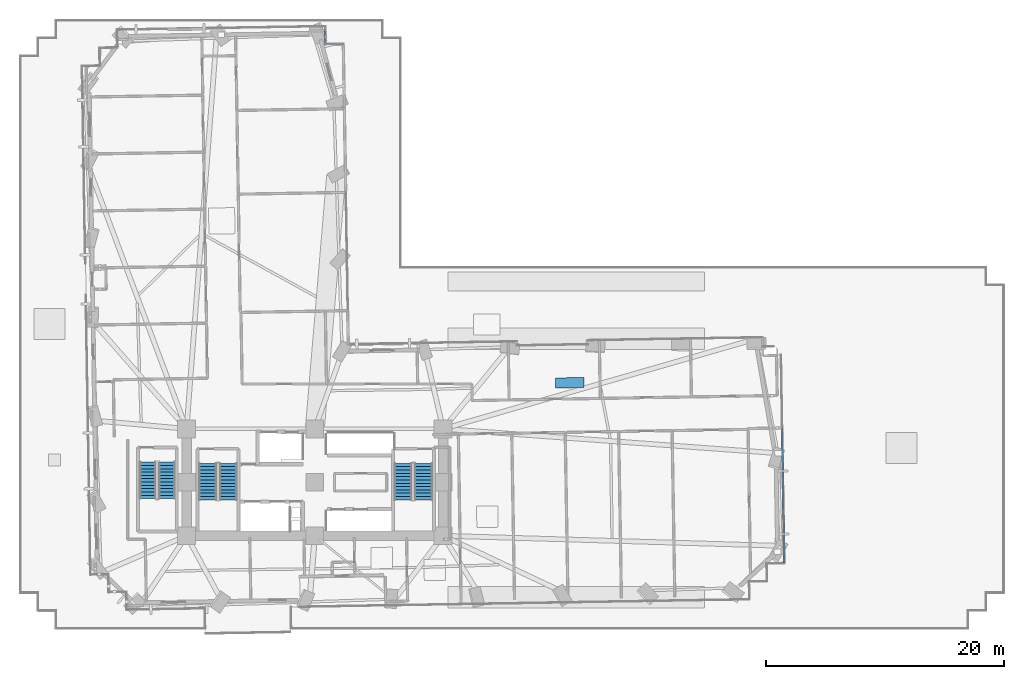
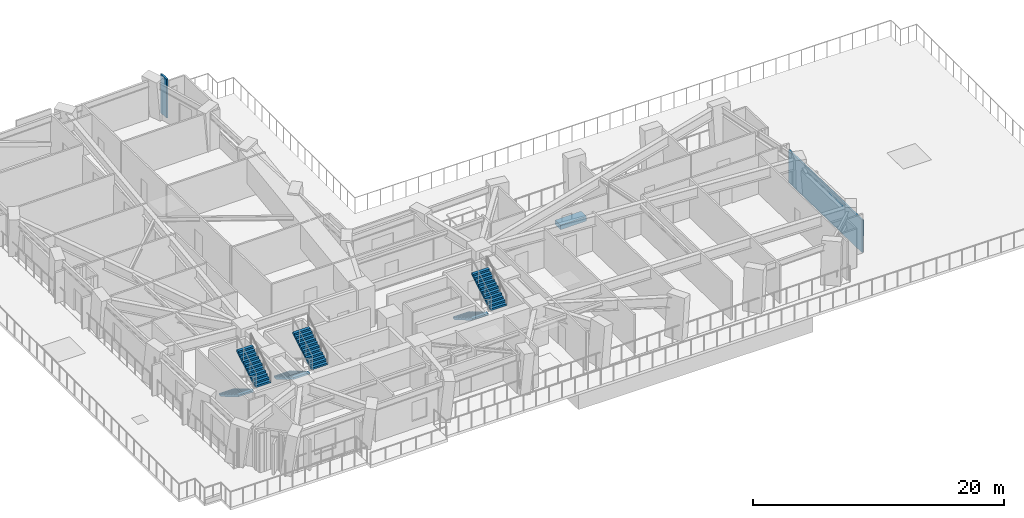
# One storey, part 10 of 17: 6 stair flights, 2 walls, 1 discrete accessory, 3 elements without a shape of their own.
"""IFC4 building model written with IfcOpenShell, lengths in metres."""

import ifcopenshell
import ifcopenshell.guid

model = None  # the IFC model being written
_history = None  # IfcOwnerHistory: only IFC2X3 demands one
_inside = {}  # id of a spatial element -> (the spatial element, [elements in it])
_under = {}  # id of a project, library or spatial element -> (it, [spatial elements below it])
_declared = {}  # id of a project -> (the project, [libraries it declares])
_typed = {}  # id of a type object -> (the type object, [elements of that type])
_made_of = {}  # id of a material, layer set ... -> (it, [elements and type objects made of it])


def new_model(schema):
    """Start an empty IFC model of exactly this schema.

    Asked for "IFC4X3", IfcOpenShell would pick the latest addendum, in which some entities
    have other attributes; the version numbers below select the first issue.
    IFC2X3 requires an IfcOwnerHistory on every rooted entity: one is made here for all.
    """
    global model, _history
    if schema == "IFC4X3":
        model = ifcopenshell.file(schema_version=(4, 3, 0, 0))
    else:
        model = ifcopenshell.file(schema=schema)
    _inside.clear()
    _under.clear()
    _declared.clear()
    _typed.clear()
    _made_of.clear()
    _history = None
    if model.schema == "IFC2X3":
        org = make("IfcOrganization", Name="unknown")
        user = make(
            "IfcPersonAndOrganization",
            ThePerson=make("IfcPerson", FamilyName="unknown"),
            TheOrganization=org,
        )
        app = make(
            "IfcApplication",
            ApplicationDeveloper=org,
            Version="unknown",
            ApplicationFullName="unknown",
            ApplicationIdentifier="unknown",
        )
        _history = make(
            "IfcOwnerHistory",
            OwningUser=user,
            OwningApplication=app,
            ChangeAction="ADDED",
            CreationDate=0,
        )
    return model


def make(cls, **values):
    """One entity of the class cls with the attributes given. An attribute that is None is left unset."""
    return model.create_entity(
        cls, **{name: value for name, value in values.items() if value is not None}
    )


def rooted(cls, **values):
    """An entity with a GlobalId (a new one), such as an element, a storey or a relation."""
    return make(cls, GlobalId=ifcopenshell.guid.new(), OwnerHistory=_history, **values)


def si_unit(unit_type, name, prefix=None):
    """IfcSIUnit, for example si_unit("LENGTHUNIT", "METRE", prefix="MILLI")."""
    return make("IfcSIUnit", UnitType=unit_type, Prefix=prefix, Name=name)


def assignment(units):
    """IfcUnitAssignment: the units of a project."""
    return None if units is None else make("IfcUnitAssignment", Units=units)


def point(xyz):
    """IfcCartesianPoint."""
    return None if xyz is None else make("IfcCartesianPoint", Coordinates=xyz)


def direction(xyz):
    """IfcDirection."""
    return None if xyz is None else make("IfcDirection", DirectionRatios=xyz)


def frame(location, z_axis=None, x_axis=None):
    """IfcAxis2Placement3D, a coordinate frame: its origin and axes. An axis left out is left unset."""
    return make(
        "IfcAxis2Placement3D",
        Location=point(location),
        Axis=direction(z_axis),
        RefDirection=direction(x_axis),
    )


def frame_2d(location, x_axis=None):
    """IfcAxis2Placement2D, a coordinate frame in the plane: its origin and x axis."""
    return make(
        "IfcAxis2Placement2D", Location=point(location), RefDirection=direction(x_axis)
    )


def origin():
    """The frame at (0, 0, 0) with its axes left unset."""
    return frame((0.0, 0.0, 0.0))


def origin_2d():
    """The frame at (0, 0) in the plane with its x axis left unset."""
    return frame_2d((0.0, 0.0))


def place(relative_to, where):
    """IfcLocalPlacement: puts the frame where relative to a parent placement (None: the world)."""
    return make(
        "IfcLocalPlacement", PlacementRelTo=relative_to, RelativePlacement=where
    )


def context(
    kind, dimensions, precision=None, world=None, true_north=None, identifier=None
):
    """IfcGeometricRepresentationContext, for example the 3D "Model" context."""
    return make(
        "IfcGeometricRepresentationContext",
        ContextIdentifier=identifier,
        ContextType=kind,
        CoordinateSpaceDimension=dimensions,
        Precision=precision,
        WorldCoordinateSystem=world,
        TrueNorth=true_north,
    )


def subcontext(parent, identifier, kind, view, scale=None):
    """IfcGeometricRepresentationSubContext, for example "Body" below "Model"."""
    return make(
        "IfcGeometricRepresentationSubContext",
        ContextIdentifier=identifier,
        ContextType=kind,
        ParentContext=parent,
        TargetScale=scale,
        TargetView=view,
    )


def project(units=None, contexts=None):
    """IfcProject with its units and contexts."""
    return rooted(
        "IfcProject",
        Name="project",
        RepresentationContexts=contexts,
        UnitsInContext=assignment(units),
    )


def spatial(cls, under=None, at=None, **own):
    """A site, building, storey or space (cls), placed at a placement, below another one or the project."""
    s = rooted(cls, ObjectPlacement=at, **own)
    if under is not None:
        _under.setdefault(under.id(), (under, []))[1].append(s)
    return s


def polyline(points):
    """IfcPolyline through the points."""
    return make("IfcPolyline", Points=[point(p) for p in points])


def profile(cls, at=None, kind="AREA", **sizes):
    """A parametric profile (cls). Its sizes go by their IFC names, for example OverallWidth=200.0."""
    return make(cls, ProfileType=kind, Position=at, **sizes)


def rectangle(**sizes):
    """IfcRectangleProfileDef."""
    return profile("IfcRectangleProfileDef", **sizes)


def outline(outer, holes=None, kind="AREA"):
    """IfcArbitraryClosedProfileDef: a profile drawn as a closed curve; with holes, ...WithVoids."""
    if holes is None:
        return make("IfcArbitraryClosedProfileDef", ProfileType=kind, OuterCurve=outer)
    return make(
        "IfcArbitraryProfileDefWithVoids",
        ProfileType=kind,
        OuterCurve=outer,
        InnerCurves=holes,
    )


def extrude(swept, where, along, depth):
    """IfcExtrudedAreaSolid: the profile swept, set in the frame where, extruded along a direction by depth."""
    return make(
        "IfcExtrudedAreaSolid",
        SweptArea=swept,
        Position=where,
        ExtrudedDirection=direction(along),
        Depth=depth,
    )


def shape(context_of_items, identifier, shape_type, items):
    """IfcShapeRepresentation: the items that make up one representation, for example the "Body"."""
    return make(
        "IfcShapeRepresentation",
        ContextOfItems=context_of_items,
        RepresentationIdentifier=identifier,
        RepresentationType=shape_type,
        Items=items,
    )


def material(Name=None, Category=None):
    """IfcMaterial."""
    return make("IfcMaterial", Name=Name, Category=Category)


def layer(
    of_material, thickness, ventilated=None, Name=None, Category=None, Priority=None
):
    """IfcMaterialLayer: one layer of a wall or slab, of a material (None: an air gap)."""
    return make(
        "IfcMaterialLayer",
        Material=of_material,
        LayerThickness=thickness,
        IsVentilated=ventilated,
        Name=Name,
        Category=Category,
        Priority=Priority,
    )


def layer_set(layers, Name=None):
    """IfcMaterialLayerSet."""
    return make("IfcMaterialLayerSet", MaterialLayers=layers, LayerSetName=Name)


def made_of(thing, what):
    """Note that an element or type object is made of a material, layer set ...; save() writes the relation."""
    if what is not None:
        _made_of.setdefault(what.id(), (what, []))[1].append(thing)
    return thing


def type_object(cls, material=None, **own):
    """A type object (cls), such as IfcWallType, which elements share."""
    return made_of(rooted(cls, **own), material)


def element(
    cls,
    number,
    at=None,
    inside=None,
    cuts=None,
    type_object=None,
    material=None,
    context=None,
    identifier="Body",
    shape_type=None,
    held_by="IfcProductDefinitionShape",
    body=None,
    shapes=None,
    **own,
):
    """One element of the class cls, such as IfcWall. Its Tag is "e" and its number.

    at: its placement. inside: the storey or other place that contains it. cuts: it is an
    opening in that element (IfcRelVoidsElement). A single representation is given by context,
    identifier, shape_type and body (its items); several are given by shapes. held_by: the class
    of the entity that holds the representations. save() writes the other relations.
    """
    e = rooted(cls, Tag="e%d" % number, ObjectPlacement=at, **own)
    if body is not None:
        shapes = [shape(context, identifier, shape_type, body)]
    if shapes is not None:
        e.Representation = make(held_by, Representations=shapes)
    if inside is not None:
        _inside.setdefault(inside.id(), (inside, []))[1].append(e)
    if cuts is not None:
        rooted(
            "IfcRelVoidsElement", RelatingBuildingElement=cuts, RelatedOpeningElement=e
        )
    if type_object is not None:
        _typed.setdefault(type_object.id(), (type_object, []))[1].append(e)
    return made_of(e, material)


def aggregate(whole, parts):
    """IfcRelAggregates: a whole, such as a stair, and the parts it consists of."""
    return rooted("IfcRelAggregates", RelatingObject=whole, RelatedObjects=parts)


def save(model, path):
    """Write the relations noted so far, then the file.

    IfcRelAggregates (storeys below a building ...), IfcRelContainedInSpatialStructure (elements
    in a storey), IfcRelDefinesByType, IfcRelAssociatesMaterial and IfcRelDeclares: one each for
    every whole, place, type object, material and project.
    """
    for whole, parts in _under.values():
        aggregate(whole, parts)
    for where, things in _inside.values():
        rooted(
            "IfcRelContainedInSpatialStructure",
            RelatedElements=things,
            RelatingStructure=where,
        )
    for kind, things in _typed.values():
        rooted("IfcRelDefinesByType", RelatedObjects=things, RelatingType=kind)
    for what, things in _made_of.values():
        rooted("IfcRelAssociatesMaterial", RelatedObjects=things, RelatingMaterial=what)
    for by, libraries in _declared.values():
        rooted("IfcRelDeclares", RelatingContext=by, RelatedDefinitions=libraries)
    model.write(path)


model = new_model("IFC4")

# Units and contexts
model_context = context("Model", 3, precision=1e-05, world=origin(), true_north=direction((0.0, 1.0)))
body_context = subcontext(model_context, "Body", "Model", "MODEL_VIEW")
ifc_project = project(units=[si_unit("LENGTHUNIT", "METRE"), si_unit("AREAUNIT", "SQUARE_METRE"), si_unit("VOLUMEUNIT", "CUBIC_METRE"), si_unit("PLANEANGLEUNIT", "RADIAN"), si_unit("MASSUNIT", "GRAM", prefix="KILO")], contexts=[model_context])

# Site, building, storey
site_placement = place(None, origin())
site = spatial("IfcSite", under=ifc_project, at=site_placement, CompositionType="ELEMENT")
building_placement = place(site_placement, origin())
building = spatial("IfcBuilding", under=site, at=building_placement, Name="Gaonmaruhae Medical Tower", CompositionType="ELEMENT")
storey_placement = place(building_placement, frame((0.0, 0.0, 27.0)))
storey = spatial("IfcBuildingStorey", under=building, at=storey_placement, Name="L05", CompositionType="ELEMENT", Elevation=27.0)

# Walls
ifc_material_1 = material(Name="Gypsum board partition", Category="gypsum")
ifc_layer = layer(ifc_material_1, 0.14990234375)
ifc_layer_set = layer_set([ifc_layer], Name="Gypsum board partition")
wall_type = type_object("IfcWallType", Name="PW-150 Rated Clinical Corridor Partition", PredefinedType="PARTITIONING", material=ifc_layer_set)
wall_1_placement = place(storey_placement, frame((25.677001953125, 50.261962890625, 0.0), z_axis=(0.0, 0.0, 1.0), x_axis=(0.016255847485, -0.999867864981, 0.0)))
element("IfcWall", 1, at=wall_1_placement, inside=storey, type_object=wall_type, Name="L05 Interior Partition L05-IN03-103", PredefinedType="PARTITIONING", context=body_context, shape_type="SweptSolid", body=[
    extrude(rectangle(XDim=0.916015625, YDim=0.14990234375, at=frame_2d((0.4580078125, 0.0))), origin(), (0.0, 0.0, 1.0), 3.780029296875),
])
wall_2_placement = place(storey_placement, frame((64.135986328125, 16.875, 0.0), z_axis=(0.0, 0.0, 1.0), x_axis=(0.016534474542, -0.999863296232, 0.0)))
element("IfcWall", 2, at=wall_2_placement, inside=storey, type_object=wall_type, Name="L05 Interior Partition L05-RM02-111", PredefinedType="PARTITIONING", context=body_context, shape_type="SweptSolid", body=[
    extrude(rectangle(XDim=11.369384765625, YDim=0.14990234375, at=frame_2d((5.6845703125, 0.0))), origin(), (0.0, 0.0, 1.0), 3.1650390625),
])

# Stair, stair flights
ifc_material_2 = material(Name="Concrete C40/50", Category="concrete")
stair_type_1 = type_object("IfcStairType", Name="ST-T1 Primary Core Escape Dogleg Stair", PredefinedType="TWO_QUARTER_TURN_STAIR", material=ifc_material_2)
stair_1_placement = place(storey_placement, origin())
stair_1 = element("IfcStair", 3, at=stair_1_placement, inside=storey, type_object=stair_type_1, Name="L05 Protected Escape Stair ST-01", PredefinedType="TWO_QUARTER_TURN_STAIR")
stair_flight_type_1 = type_object("IfcStairFlightType", Name="SF-T1 Primary Core Precast Stair Flight", PredefinedType="STRAIGHT", material=ifc_material_2)
stair_flight_1_placement = place(storey_placement, frame((15.800048828125, 13.89990234375, 0.0), z_axis=(0.0, 0.0, 1.0), x_axis=(0.0, -1.0, 0.0)))
stair_flight_1 = element("IfcStairFlight", 4, at=stair_flight_1_placement, type_object=stair_flight_type_1, Name="ST-01 flight 1", NumberOfRisers=12, NumberOfTreads=11, PredefinedType="STRAIGHT", RiserHeight=0.166666667, TreadLength=0.28, context=body_context, shape_type="SweptSolid", body=[
    extrude(outline(polyline([(0.0, 0.0), (0.0, 0.166748046875), (0.280029296875, 0.166748046875), (0.280029296875, 0.333251953125), (0.56005859375, 0.333251953125), (0.56005859375, 0.5), (0.840087890625, 0.5), (0.840087890625, 0.666748046875), (1.1201171875, 0.666748046875), (1.1201171875, 0.833251953125), (1.39990234375, 0.833251953125), (1.39990234375, 1.0), (1.679931640625, 1.0), (1.679931640625, 1.166748046875), (1.9599609375, 1.166748046875), (1.9599609375, 1.333251953125), (2.239990234375, 1.333251953125), (2.239990234375, 1.5), (2.52001953125, 1.5), (2.52001953125, 1.666748046875), (2.800048828125, 1.666748046875), (2.800048828125, 1.833251953125), (3.080078125, 1.833251953125), (3.080078125, 2.0), (3.080078125, 1.658935546875), (0.29296875, 0.0), (0.0, 0.0)])), frame((0.0, 0.75, 0.0), z_axis=(0.0, -1.0, 0.0), x_axis=(1.0, 0.0, 0.0)), (0.0, 0.0, 1.0), 1.5),
])
stair_flight_2_placement = place(storey_placement, frame((17.5, 10.820068359375, 2.0), z_axis=(0.0, 0.0, 1.0), x_axis=(0.0, 1.0, 0.0)))
stair_flight_2 = element("IfcStairFlight", 5, at=stair_flight_2_placement, type_object=stair_flight_type_1, Name="ST-01 flight 2", NumberOfRisers=12, NumberOfTreads=11, PredefinedType="STRAIGHT", RiserHeight=0.166666667, TreadLength=0.28, context=body_context, shape_type="SweptSolid", body=[
    extrude(outline(polyline([(0.0, 0.0), (0.0, 0.166748046875), (0.280029296875, 0.166748046875), (0.280029296875, 0.333251953125), (0.56005859375, 0.333251953125), (0.56005859375, 0.5), (0.840087890625, 0.5), (0.840087890625, 0.666748046875), (1.1201171875, 0.666748046875), (1.1201171875, 0.833251953125), (1.39990234375, 0.833251953125), (1.39990234375, 1.0), (1.679931640625, 1.0), (1.679931640625, 1.166748046875), (1.9599609375, 1.166748046875), (1.9599609375, 1.333251953125), (2.239990234375, 1.333251953125), (2.239990234375, 1.5), (2.52001953125, 1.5), (2.52001953125, 1.666748046875), (2.800048828125, 1.666748046875), (2.800048828125, 1.833251953125), (3.080078125, 1.833251953125), (3.080078125, 2.0), (3.080078125, 1.658935546875), (0.29296875, 0.0), (0.0, 0.0)])), frame((0.0, 0.75, 0.0), z_axis=(0.0, -1.0, 0.0), x_axis=(1.0, 0.0, 0.0)), (0.0, 0.0, 1.0), 1.5),
])
aggregate(stair_1, [stair_flight_1, stair_flight_2])

stair_2_placement = place(storey_placement, origin())
stair_2 = element("IfcStair", 6, at=stair_2_placement, inside=storey, type_object=stair_type_1, Name="L05 Protected Escape Stair ST-02", PredefinedType="TWO_QUARTER_TURN_STAIR")
stair_flight_3_placement = place(storey_placement, frame((32.25, 13.89990234375, 0.0), z_axis=(0.0, 0.0, 1.0), x_axis=(0.0, -1.0, 0.0)))
stair_flight_3 = element("IfcStairFlight", 7, at=stair_flight_3_placement, type_object=stair_flight_type_1, Name="ST-02 flight 1", NumberOfRisers=12, NumberOfTreads=11, PredefinedType="STRAIGHT", RiserHeight=0.166666667, TreadLength=0.28, context=body_context, shape_type="SweptSolid", body=[
    extrude(outline(polyline([(0.0, 0.0), (0.0, 0.166748046875), (0.280029296875, 0.166748046875), (0.280029296875, 0.333251953125), (0.56005859375, 0.333251953125), (0.56005859375, 0.5), (0.840087890625, 0.5), (0.840087890625, 0.666748046875), (1.1201171875, 0.666748046875), (1.1201171875, 0.833251953125), (1.39990234375, 0.833251953125), (1.39990234375, 1.0), (1.679931640625, 1.0), (1.679931640625, 1.166748046875), (1.9599609375, 1.166748046875), (1.9599609375, 1.333251953125), (2.239990234375, 1.333251953125), (2.239990234375, 1.5), (2.52001953125, 1.5), (2.52001953125, 1.666748046875), (2.800048828125, 1.666748046875), (2.800048828125, 1.833251953125), (3.080078125, 1.833251953125), (3.080078125, 2.0), (3.080078125, 1.658935546875), (0.29296875, 0.0), (0.0, 0.0)])), frame((0.0, 0.75, 0.0), z_axis=(0.0, -1.0, 0.0), x_axis=(1.0, 0.0, 0.0)), (0.0, 0.0, 1.0), 1.5),
])
stair_flight_4_placement = place(storey_placement, frame((33.949951171875, 10.820068359375, 2.0), z_axis=(0.0, 0.0, 1.0), x_axis=(0.0, 1.0, 0.0)))
stair_flight_4 = element("IfcStairFlight", 8, at=stair_flight_4_placement, type_object=stair_flight_type_1, Name="ST-02 flight 2", NumberOfRisers=12, NumberOfTreads=11, PredefinedType="STRAIGHT", RiserHeight=0.166666667, TreadLength=0.28, context=body_context, shape_type="SweptSolid", body=[
    extrude(outline(polyline([(0.0, 0.0), (0.0, 0.166748046875), (0.280029296875, 0.166748046875), (0.280029296875, 0.333251953125), (0.56005859375, 0.333251953125), (0.56005859375, 0.5), (0.840087890625, 0.5), (0.840087890625, 0.666748046875), (1.1201171875, 0.666748046875), (1.1201171875, 0.833251953125), (1.39990234375, 0.833251953125), (1.39990234375, 1.0), (1.679931640625, 1.0), (1.679931640625, 1.166748046875), (1.9599609375, 1.166748046875), (1.9599609375, 1.333251953125), (2.239990234375, 1.333251953125), (2.239990234375, 1.5), (2.52001953125, 1.5), (2.52001953125, 1.666748046875), (2.800048828125, 1.666748046875), (2.800048828125, 1.833251953125), (3.080078125, 1.833251953125), (3.080078125, 2.0), (3.080078125, 1.658935546875), (0.29296875, 0.0), (0.0, 0.0)])), frame((0.0, 0.75, 0.0), z_axis=(0.0, -1.0, 0.0), x_axis=(1.0, 0.0, 0.0)), (0.0, 0.0, 1.0), 1.5),
])
aggregate(stair_2, [stair_flight_3, stair_flight_4])

stair_type_2 = type_object("IfcStairType", Name="ST-T2 Zone 1 Escape Dogleg Stair", PredefinedType="TWO_QUARTER_TURN_STAIR", material=ifc_material_2)
stair_3_placement = place(storey_placement, origin())
stair_3 = element("IfcStair", 9, at=stair_3_placement, inside=storey, type_object=stair_type_2, Name="L05 Protected Escape Stair ST-03", PredefinedType="TWO_QUARTER_TURN_STAIR")
stair_flight_type_2 = type_object("IfcStairFlightType", Name="SF-T2 Zone 1 Precast Stair Flight", PredefinedType="STRAIGHT", material=ifc_material_2)
stair_flight_5_placement = place(storey_placement, frame((10.75, 14.0, 0.0), z_axis=(0.0, 0.0, 1.0), x_axis=(0.0, -1.0, 0.0)))
stair_flight_5 = element("IfcStairFlight", 10, at=stair_flight_5_placement, type_object=stair_flight_type_2, Name="ST-03 flight 1", NumberOfRisers=12, NumberOfTreads=11, PredefinedType="STRAIGHT", RiserHeight=0.166666667, TreadLength=0.28, context=body_context, shape_type="SweptSolid", body=[
    extrude(outline(polyline([(0.0, 0.0), (0.0, 0.166748046875), (0.280029296875, 0.166748046875), (0.280029296875, 0.333251953125), (0.56005859375, 0.333251953125), (0.56005859375, 0.5), (0.840087890625, 0.5), (0.840087890625, 0.666748046875), (1.1201171875, 0.666748046875), (1.1201171875, 0.833251953125), (1.39990234375, 0.833251953125), (1.39990234375, 1.0), (1.679931640625, 1.0), (1.679931640625, 1.166748046875), (1.9599609375, 1.166748046875), (1.9599609375, 1.333251953125), (2.239990234375, 1.333251953125), (2.239990234375, 1.5), (2.52001953125, 1.5), (2.52001953125, 1.666748046875), (2.800048828125, 1.666748046875), (2.800048828125, 1.833251953125), (3.080078125, 1.833251953125), (3.080078125, 2.0), (3.080078125, 1.658935546875), (0.29296875, 0.0), (0.0, 0.0)])), frame((0.0, 0.699951171875, 0.0), z_axis=(0.0, -1.0, 0.0), x_axis=(1.0, 0.0, 0.0)), (0.0, 0.0, 1.0), 1.39990234375),
])
stair_flight_6_placement = place(storey_placement, frame((12.35009765625, 10.919921875, 2.0), z_axis=(0.0, 0.0, 1.0), x_axis=(0.0, 1.0, 0.0)))
stair_flight_6 = element("IfcStairFlight", 11, at=stair_flight_6_placement, type_object=stair_flight_type_2, Name="ST-03 flight 2", NumberOfRisers=12, NumberOfTreads=11, PredefinedType="STRAIGHT", RiserHeight=0.166666667, TreadLength=0.28, context=body_context, shape_type="SweptSolid", body=[
    extrude(outline(polyline([(0.0, 0.0), (0.0, 0.166748046875), (0.280029296875, 0.166748046875), (0.280029296875, 0.333251953125), (0.56005859375, 0.333251953125), (0.56005859375, 0.5), (0.840087890625, 0.5), (0.840087890625, 0.666748046875), (1.1201171875, 0.666748046875), (1.1201171875, 0.833251953125), (1.39990234375, 0.833251953125), (1.39990234375, 1.0), (1.679931640625, 1.0), (1.679931640625, 1.166748046875), (1.9599609375, 1.166748046875), (1.9599609375, 1.333251953125), (2.239990234375, 1.333251953125), (2.239990234375, 1.5), (2.52001953125, 1.5), (2.52001953125, 1.666748046875), (2.800048828125, 1.666748046875), (2.800048828125, 1.833251953125), (3.080078125, 1.833251953125), (3.080078125, 2.0), (3.080078125, 1.658935546875), (0.29296875, 0.0), (0.0, 0.0)])), frame((0.0, 0.699951171875, 0.0), z_axis=(0.0, -1.0, 0.0), x_axis=(1.0, 0.0, 0.0)), (0.0, 0.0, 1.0), 1.39990234375),
])
aggregate(stair_3, [stair_flight_5, stair_flight_6])

# Discrete accessory
ifc_material_3 = material(Name="Precast concrete C45/55", Category="concrete")
discrete_accessory_type = type_object("IfcDiscreteAccessoryType", Name="PLN-01 Sky Garden Precast Botanical Planter", PredefinedType="USERDEFINED", material=ifc_material_3)
discrete_accessory_placement = place(storey_placement, frame((46.258056640625, 20.682373046875, 0.0), z_axis=(0.0, 0.0, 1.0), x_axis=(0.999862544538, 0.016579868188, 0.0)))
element("IfcDiscreteAccessory", 12, at=discrete_accessory_placement, inside=storey, type_object=discrete_accessory_type, Name="L05 Sky Garden Botanical Planter SLB-L05-PODROOF1", ObjectType="PLANTER", PredefinedType="USERDEFINED", context=body_context, shape_type="SweptSolid", body=[
    extrude(rectangle(XDim=2.39990234375, YDim=0.85009765625, at=origin_2d()), origin(), (0.0, 0.0, 1.0), 0.449951171875),
])

save(model, "model.ifc")
